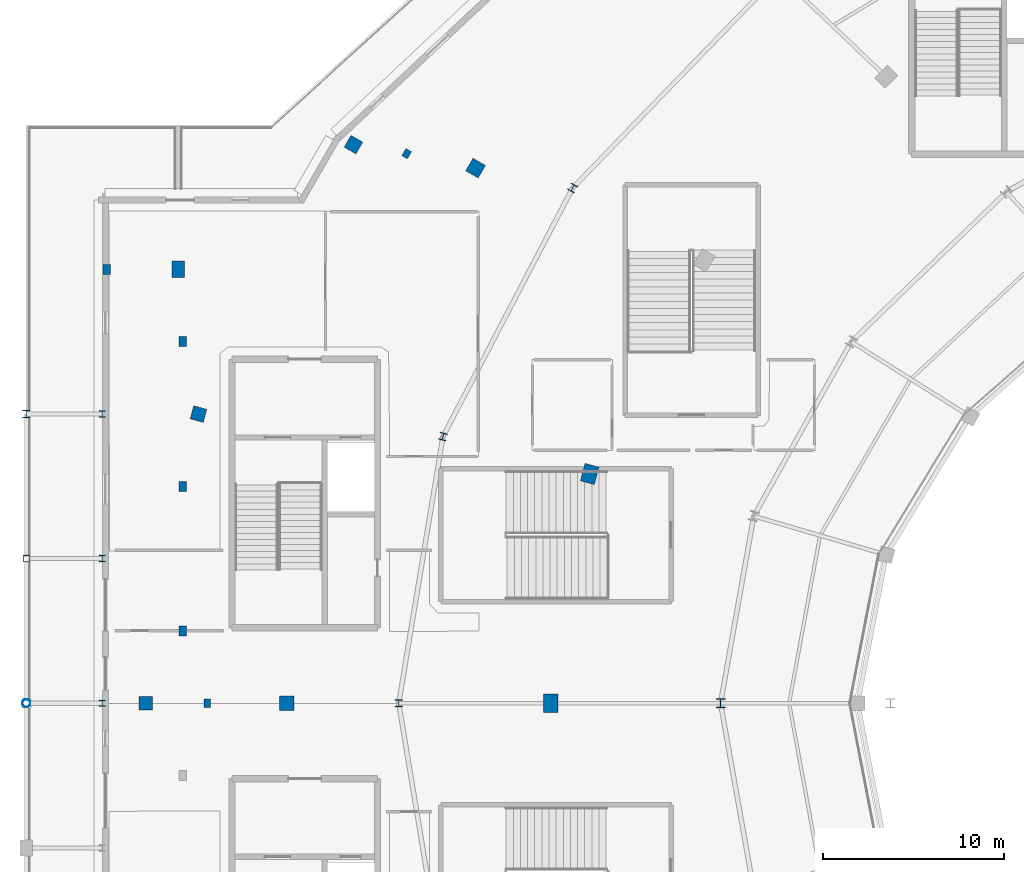
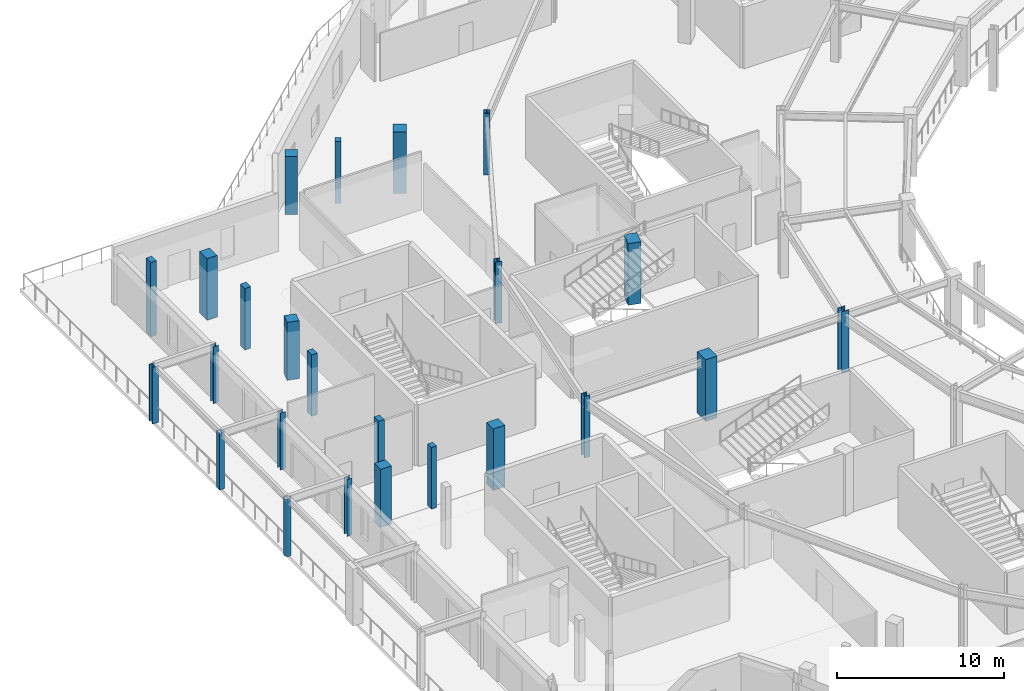
# One storey, part 6 of 107: 24 columns.
"""IFC4 building model written with IfcOpenShell, lengths in metres."""

from ifc_helpers import new_model, si_unit, direction, frame, origin, origin_2d, place, context, subcontext, project, spatial, rectangle, hollow_rectangle, hollow_circle, i_section, extrude, material, material_profile, profile_set, type_object, element, save


model = new_model("IFC4")

# Units and contexts
model_context = context("Model", 3, precision=1e-05, world=origin(), true_north=direction((0.0, 1.0)))
body_context = subcontext(model_context, "Body", "Model", "MODEL_VIEW")
ifc_project = project(units=[si_unit("LENGTHUNIT", "METRE"), si_unit("AREAUNIT", "SQUARE_METRE"), si_unit("VOLUMEUNIT", "CUBIC_METRE"), si_unit("PLANEANGLEUNIT", "RADIAN"), si_unit("MASSUNIT", "GRAM", prefix="KILO")], contexts=[model_context])

# Site, building, storey
site_placement = place(None, origin())
site = spatial("IfcSite", under=ifc_project, at=site_placement, CompositionType="ELEMENT")
building_placement = place(site_placement, origin())
building = spatial("IfcBuilding", under=site, at=building_placement, Name="Kalgoora Escarpment Arena", CompositionType="ELEMENT")
storey_placement = place(building_placement, frame((0.0, 0.0, 5.39990234375)))
storey = spatial("IfcBuildingStorey", under=building, at=storey_placement, Name="L01", CompositionType="ELEMENT", Elevation=5.39990234375)

# Columns
ifc_material_1 = material(Name="Structural steel Grade 350 (350 MPa)", Category="steel")
ifc_material_profile_1 = material_profile(ifc_material_1, i_section(OverallWidth=0.35009765625, OverallDepth=0.35009765625, WebThickness=0.013916015625, FlangeThickness=0.02392578125, at=origin_2d()))
ifc_profile_set_1 = profile_set([ifc_material_profile_1], Name="Structural steel Grade 350 (350 MPa)")
column_type_1 = type_object("IfcColumnType", Name="COL-COL-350WC197", PredefinedType="COLUMN", material=ifc_profile_set_1)
for number, where, z_axis, x_axis, name in (
    (1, (4.199951171875, 64.0, 0.0), (0.0, 0.0, 1.0), (1.0, 0.0, 0.0), "L01 structural column COL-CAN-IN-64"),
    (2, (4.199951171875, 72.0, 0.0), (0.0, 0.0, 1.0), (1.0, 0.0, 0.0), "L01 structural column COL-CAN-IN-72"),
    (3, (4.199951171875, 80.0, 0.0), (0.0, 0.0, 1.0), (1.0, 0.0, 0.0), "L01 structural column COL-CAN-IN-80"),
):
    element("IfcColumn", number, at=place(storey_placement, frame(where, z_axis=z_axis, x_axis=x_axis)), inside=storey, type_object=column_type_1, Name=name, PredefinedType="COLUMN", context=body_context, shape_type="SweptSolid", body=[
        extrude(i_section(OverallWidth=0.35009765625, OverallDepth=0.35009765625, WebThickness=0.013916015625, FlangeThickness=0.02392578125, at=origin_2d()), origin(), (0.0, 0.0, 1.0), 4.150146484375),
    ])
ifc_material_2 = material(Name="Structural steel C450 (450 MPa)", Category="steel")
ifc_material_profile_2 = material_profile(ifc_material_2, hollow_rectangle(XDim=0.35009765625, YDim=0.35009765625, WallThickness=0.01611328125, at=origin_2d()))
ifc_profile_set_2 = profile_set([ifc_material_profile_2], Name="Structural steel C450 (450 MPa)")
column_type_2 = type_object("IfcColumnType", Name="COL-COL-350x350x16.0SHS", PredefinedType="COLUMN", material=ifc_profile_set_2)
column_1_placement = place(storey_placement, frame((0.0, 72.0, 0.0), z_axis=(0.0, 0.0, 1.0), x_axis=(1.0, 0.0, 0.0)))
element("IfcColumn", 4, at=column_1_placement, inside=storey, type_object=column_type_2, Name="L01 structural column COL-G1-K", PredefinedType="COLUMN", context=body_context, shape_type="SweptSolid", body=[
    extrude(hollow_rectangle(XDim=0.35009765625, YDim=0.35009765625, WallThickness=0.01611328125, at=origin_2d()), origin(), (0.0, 0.0, 1.0), 4.150146484375),
])
ifc_material_3 = material(Name="Structural steel Grade 350 (350 MPa)", Category="steel")
ifc_material_profile_3 = material_profile(ifc_material_3, i_section(OverallWidth=0.39990234375, OverallDepth=0.39990234375, WebThickness=0.01611328125, FlangeThickness=0.028076171875, at=origin_2d()))
ifc_profile_set_3 = profile_set([ifc_material_profile_3], Name="Structural steel Grade 350 (350 MPa)")
column_type_3 = type_object("IfcColumnType", Name="COL-COL-400WC212", PredefinedType="COLUMN", material=ifc_profile_set_3)
column_2_placement = place(storey_placement, frame((0.0, 80.0, 0.0), z_axis=(0.0, 0.0, 1.0), x_axis=(1.0, 0.0, 0.0)))
element("IfcColumn", 5, at=column_2_placement, inside=storey, type_object=column_type_3, Name="L01 structural column COL-G1-L", PredefinedType="COLUMN", context=body_context, shape_type="SweptSolid", body=[
    extrude(i_section(OverallWidth=0.39990234375, OverallDepth=0.39990234375, WebThickness=0.01611328125, FlangeThickness=0.028076171875, at=origin_2d()), origin(), (0.0, 0.0, 1.0), 4.150146484375),
])
ifc_material_4 = material(Name="Structural steel Grade 350 (350 MPa)", Category="steel")
ifc_material_profile_4 = material_profile(ifc_material_4, i_section(OverallWidth=0.39990234375, OverallDepth=0.39990234375, WebThickness=0.01806640625, FlangeThickness=0.031982421875, at=origin_2d()))
ifc_profile_set_4 = profile_set([ifc_material_profile_4], Name="Structural steel Grade 350 (350 MPa)")
column_type_4 = type_object("IfcColumnType", Name="COL-COL-400WC270", PredefinedType="COLUMN", material=ifc_profile_set_4)
for number, where, z_axis, x_axis, name in (
    (6, (30.219482421875, 92.5, 0.0), (0.0, 0.0, 1.0), (-0.866025403784, 0.5, 0.0), "L01 structural column COL-RCONC2-R11"),
    (7, (23.04638671875, 78.752685546875, 0.0), (0.0, 0.0, 1.0), (-0.965925826289, 0.258819045103, 0.0), "L01 structural column COL-RCONC2-R12"),
    (8, (20.60009765625, 64.0, 0.0), (0.0, 0.0, 1.0), (-1.0, 0.0, 0.0), "L01 structural column COL-RCONC2-R13"),
):
    element("IfcColumn", number, at=place(storey_placement, frame(where, z_axis=z_axis, x_axis=x_axis)), inside=storey, type_object=column_type_4, Name=name, PredefinedType="COLUMN", context=body_context, shape_type="SweptSolid", body=[
        extrude(i_section(OverallWidth=0.39990234375, OverallDepth=0.39990234375, WebThickness=0.01806640625, FlangeThickness=0.031982421875, at=origin_2d()), origin(), (0.0, 0.0, 1.0), 4.5),
    ])
ifc_material_5 = material(Name="Structural steel C350 (350 MPa)", Category="steel")
ifc_material_profile_5 = material_profile(ifc_material_5, hollow_circle(Radius=0.228515625, WallThickness=0.01611328125, at=origin_2d()))
ifc_profile_set_5 = profile_set([ifc_material_profile_5], Name="Structural steel C350 (350 MPa)")
column_type_5 = type_object("IfcColumnType", Name="COL-COL-457.0x16.0CHS", PredefinedType="COLUMN", material=ifc_profile_set_5)
column_3_placement = place(storey_placement, frame((0.0, 64.0, 0.0), z_axis=(0.0, 0.0, 1.0), x_axis=(1.0, 0.0, 0.0)))
element("IfcColumn", 9, at=column_3_placement, inside=storey, type_object=column_type_5, Name="L01 structural column COL-G1-J", PredefinedType="COLUMN", context=body_context, shape_type="SweptSolid", body=[
    extrude(hollow_circle(Radius=0.228515625, WallThickness=0.01611328125, at=origin_2d()), origin(), (0.0, 0.0, 1.0), 4.150146484375),
])
ifc_material_6 = material(Name="Structural steel Grade 350 (350 MPa)", Category="steel")
ifc_material_profile_6 = material_profile(ifc_material_6, i_section(OverallWidth=0.5, OverallDepth=0.5, WebThickness=0.02001953125, FlangeThickness=0.034912109375, at=origin_2d()))
ifc_profile_set_6 = profile_set([ifc_material_profile_6], Name="Structural steel Grade 350 (350 MPa)")
column_type_6 = type_object("IfcColumnType", Name="COL-COL-500WC340", PredefinedType="COLUMN", material=ifc_profile_set_6)
column_4_placement = place(storey_placement, frame((38.39990234375, 64.0, 0.0), z_axis=(0.0, 0.0, 1.0), x_axis=(-1.0, 0.0, 0.0)))
element("IfcColumn", 10, at=column_4_placement, inside=storey, type_object=column_type_6, Name="L01 structural column COL-RMAIN-R13", PredefinedType="COLUMN", context=body_context, shape_type="SweptSolid", body=[
    extrude(i_section(OverallWidth=0.5, OverallDepth=0.5, WebThickness=0.02001953125, FlangeThickness=0.034912109375, at=origin_2d()), origin(), (0.0, 0.0, 1.0), 4.5),
])
ifc_material_7 = material(Name="Concrete N50 (fc' 50 MPa)", Category="concrete")
ifc_material_profile_7 = material_profile(ifc_material_7, rectangle(XDim=0.800048828125, YDim=1.0, at=origin_2d()))
ifc_profile_set_7 = profile_set([ifc_material_profile_7], Name="Concrete N50 (fc' 50 MPa)")
column_type_7 = type_object("IfcColumnType", Name="COL-COL-RC1000x800", PredefinedType="COLUMN", material=ifc_profile_set_7)
for number, where, z_axis, x_axis, name in (
    (11, (31.160400390625, 76.68212890625, 0.0), (0.0, 0.0, 1.0), (-0.965925826289, 0.258819045103, 0.0), "L01 structural column COL-RCONC1-R12"),
    (12, (29.0, 64.0, 0.0), (0.0, 0.0, 1.0), (-1.0, 0.0, 0.0), "L01 structural column COL-RCONC1-R13"),
):
    element("IfcColumn", number, at=place(storey_placement, frame(where, z_axis=z_axis, x_axis=x_axis)), inside=storey, type_object=column_type_7, Name=name, PredefinedType="COLUMN", context=body_context, shape_type="SweptSolid", body=[
        extrude(rectangle(XDim=0.800048828125, YDim=1.0, at=origin_2d()), origin(), (0.0, 0.0, 1.0), 4.5),
    ])
ifc_material_8 = material(Name="Concrete N50 (fc' 50 MPa)", Category="concrete")
ifc_material_profile_8 = material_profile(ifc_material_8, rectangle(XDim=0.75, YDim=0.75, at=origin_2d()))
ifc_profile_set_8 = profile_set([ifc_material_profile_8], Name="Concrete N50 (fc' 50 MPa)")
column_type_8 = type_object("IfcColumnType", Name="COL-COL-RC750x750", PredefinedType="COLUMN", material=ifc_profile_set_8)
column_5_placement = place(storey_placement, frame((18.094970703125, 94.89990234375, 0.0), z_axis=(0.0, 0.0, 1.0), x_axis=(-0.866025403784, 0.5, 0.0)))
element("IfcColumn", 13, at=column_5_placement, inside=storey, type_object=column_type_8, Name="L01 structural column COL-RBASE2-R11", PredefinedType="COLUMN", context=body_context, shape_type="SweptSolid", body=[
    extrude(rectangle(XDim=0.75, YDim=0.75, at=origin_2d()), origin(), (0.0, 0.0, 1.0), 4.25),
])
column_6_placement = place(storey_placement, frame((9.523681640625, 79.9951171875, 0.0), z_axis=(0.0, 0.0, 1.0), x_axis=(-0.965925826289, 0.258819045103, 0.0)))
element("IfcColumn", 14, at=column_6_placement, inside=storey, type_object=column_type_8, Name="L01 structural column COL-RBASE2-R12", PredefinedType="COLUMN", context=body_context, shape_type="SweptSolid", body=[
    extrude(rectangle(XDim=0.75, YDim=0.75, at=origin_2d()), origin(), (0.0, 0.0, 1.0), 4.22998046875),
])
column_7_placement = place(storey_placement, frame((6.60009765625, 64.0, 0.0), z_axis=(0.0, 0.0, 1.0), x_axis=(-1.0, 0.0, 0.0)))
element("IfcColumn", 15, at=column_7_placement, inside=storey, type_object=column_type_8, Name="L01 structural column COL-RBASE2-R13", PredefinedType="COLUMN", context=body_context, shape_type="SweptSolid", body=[
    extrude(rectangle(XDim=0.75, YDim=0.75, at=origin_2d()), origin(), (0.0, 0.0, 1.0), 4.25),
])
ifc_material_9 = material(Name="Concrete N50 (fc' 50 MPa)", Category="concrete")
ifc_material_profile_9 = material_profile(ifc_material_9, rectangle(XDim=0.800048828125, YDim=0.800048828125, at=origin_2d()))
ifc_profile_set_9 = profile_set([ifc_material_profile_9], Name="Concrete N50 (fc' 50 MPa)")
column_type_9 = type_object("IfcColumnType", Name="COL-COL-RC800x800", PredefinedType="COLUMN", material=ifc_profile_set_9)
for number, where, z_axis, x_axis, name in (
    (16, (24.85009765625, 93.60009765625, 0.0), (0.0, 0.0, 1.0), (-0.866025403784, 0.5, 0.0), "L01 structural column COL-RBASE1-R11"),
    (17, (14.39990234375, 64.0, 0.0), (0.0, 0.0, 1.0), (-1.0, 0.0, 0.0), "L01 structural column COL-RBASE1-R13"),
):
    element("IfcColumn", number, at=place(storey_placement, frame(where, z_axis=z_axis, x_axis=x_axis)), inside=storey, type_object=column_type_9, Name=name, PredefinedType="COLUMN", context=body_context, shape_type="SweptSolid", body=[
        extrude(rectangle(XDim=0.800048828125, YDim=0.800048828125, at=origin_2d()), origin(), (0.0, 0.0, 1.0), 4.5),
    ])
ifc_material_10 = material(Name="Concrete N50 (fc' 50 MPa)", Category="concrete")
ifc_material_profile_10 = material_profile(ifc_material_10, rectangle(XDim=0.699951171875, YDim=0.89990234375, at=origin_2d()))
ifc_profile_set_10 = profile_set([ifc_material_profile_10], Name="Concrete N50 (fc' 50 MPa)")
column_type_10 = type_object("IfcColumnType", Name="COL-COL-RC900x700", PredefinedType="COLUMN", material=ifc_profile_set_10)
column_8_placement = place(storey_placement, frame((8.39990234375, 88.0, 0.0), z_axis=(0.0, 0.0, 1.0), x_axis=(1.0, 0.0, 0.0)))
element("IfcColumn", 18, at=column_8_placement, inside=storey, type_object=column_type_10, Name="L01 structural column COL-G2-M", PredefinedType="COLUMN", context=body_context, shape_type="SweptSolid", body=[
    extrude(rectangle(XDim=0.699951171875, YDim=0.89990234375, at=origin_2d()), origin(), (0.0, 0.0, 1.0), 4.5),
])
ifc_material_11 = material(Name="Precast concrete N50 (fc' 50 MPa)", Category="concrete")
ifc_material_profile_11 = material_profile(ifc_material_11, rectangle(XDim=0.35009765625, YDim=0.449951171875, at=origin_2d()))
ifc_profile_set_11 = profile_set([ifc_material_profile_11], Name="Precast concrete N50 (fc' 50 MPa)")
column_type_11 = type_object("IfcColumnType", Name="COL-PIL-PC-PILASTER-450x350", PredefinedType="PILASTER", material=ifc_profile_set_11)
for number, where, z_axis, x_axis, name in (
    (19, (21.0400390625, 94.39990234375, 0.0), (0.0, 0.0, 1.0), (-0.866025403784, 0.5, 0.0), "L01 fluted pilaster PIL-056"),
    (20, (10.0, 64.0, 0.0), (0.0, 0.0, 1.0), (-1.0, 0.0, 0.0), "L01 fluted pilaster PIL-058"),
):
    element("IfcColumn", number, at=place(storey_placement, frame(where, z_axis=z_axis, x_axis=x_axis)), inside=storey, type_object=column_type_11, Name=name, PredefinedType="PILASTER", context=body_context, shape_type="SweptSolid", body=[
        extrude(rectangle(XDim=0.35009765625, YDim=0.449951171875, at=origin_2d()), origin(), (0.0, 0.0, 1.0), 4.5),
    ])
ifc_material_12 = material(Name="Precast concrete N50 (fc' 50 MPa)", Category="concrete")
ifc_material_profile_12 = material_profile(ifc_material_12, rectangle(XDim=0.39990234375, YDim=0.550048828125, at=origin_2d()))
ifc_profile_set_12 = profile_set([ifc_material_profile_12], Name="Precast concrete N50 (fc' 50 MPa)")
column_type_12 = type_object("IfcColumnType", Name="COL-PIL-PC-PILASTER-550x400", PredefinedType="PILASTER", material=ifc_profile_set_12)
column_9_placement = place(storey_placement, frame((4.449951171875, 88.0, 0.0), z_axis=(0.0, 0.0, 1.0), x_axis=(1.0, 0.0, 0.0)))
element("IfcColumn", 21, at=column_9_placement, inside=storey, type_object=column_type_12, Name="L01 fluted pilaster PIL-015", PredefinedType="PILASTER", context=body_context, shape_type="SweptSolid", body=[
    extrude(rectangle(XDim=0.39990234375, YDim=0.550048828125, at=origin_2d()), origin(), (0.0, 0.0, 1.0), 5.4501953125),
])
for number, where, z_axis, x_axis, name in (
    (22, (8.64990234375, 68.0, 0.0), (0.0, 0.0, 1.0), (1.0, 0.0, 0.0), "L01 fluted pilaster PIL-019"),
    (23, (8.64990234375, 76.0, 0.0), (0.0, 0.0, 1.0), (1.0, 0.0, 0.0), "L01 fluted pilaster PIL-020"),
    (24, (8.64990234375, 84.0, 0.0), (0.0, 0.0, 1.0), (1.0, 0.0, 0.0), "L01 fluted pilaster PIL-021"),
):
    element("IfcColumn", number, at=place(storey_placement, frame(where, z_axis=z_axis, x_axis=x_axis)), inside=storey, type_object=column_type_12, Name=name, PredefinedType="PILASTER", context=body_context, shape_type="SweptSolid", body=[
        extrude(rectangle(XDim=0.39990234375, YDim=0.550048828125, at=origin_2d()), origin(), (0.0, 0.0, 1.0), 4.5),
    ])

save(model, "model.ifc")
